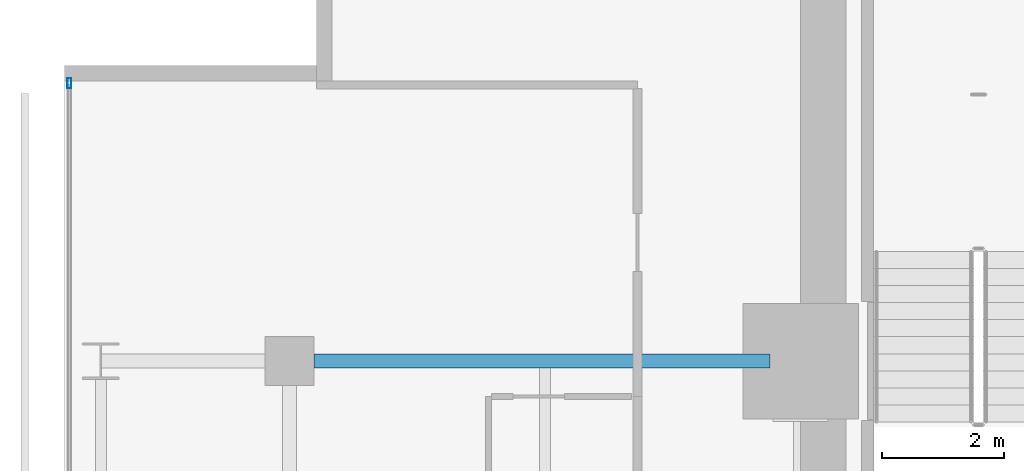
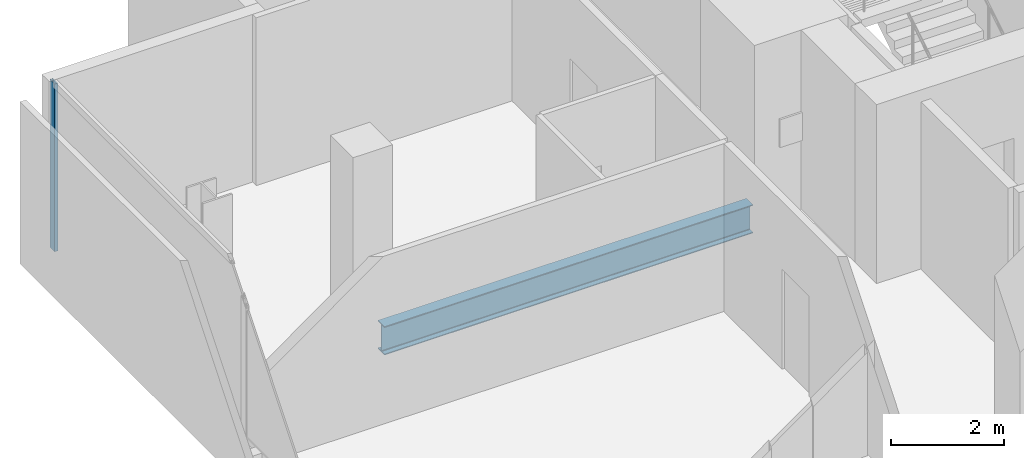
# One storey, part 20 of 33: 1 beam, 1 member, 1 element without a shape of its own.
"""IFC4 building model written with IfcOpenShell, lengths in metres."""

from ifc_helpers import new_model, si_unit, direction, frame, origin, origin_2d, place, context, subcontext, project, spatial, hollow_rectangle, i_section, extrude, material, layer, layer_set, material_profile, profile_set, type_object, element, aggregate, save


model = new_model("IFC4")

# Units and contexts
model_context = context("Model", 3, precision=1e-05, world=origin(), true_north=direction((0.0, 1.0)))
body_context = subcontext(model_context, "Body", "Model", "MODEL_VIEW")
ifc_project = project(units=[si_unit("LENGTHUNIT", "METRE"), si_unit("AREAUNIT", "SQUARE_METRE"), si_unit("VOLUMEUNIT", "CUBIC_METRE"), si_unit("PLANEANGLEUNIT", "RADIAN"), si_unit("MASSUNIT", "GRAM", prefix="KILO")], contexts=[model_context])

# Site, building, storey
site_placement = place(None, origin())
site = spatial("IfcSite", under=ifc_project, at=site_placement, CompositionType="ELEMENT")
building_placement = place(site_placement, origin())
building = spatial("IfcBuilding", under=site, at=building_placement, Name="Maruvema Waterfront Hotel and Observation Tower", CompositionType="ELEMENT")
storey_placement = place(building_placement, frame((0.0, 0.0, 150.5)))
storey = spatial("IfcBuildingStorey", under=building, at=storey_placement, Name="L36", CompositionType="ELEMENT", Elevation=150.5)

# Curtain wall, member
ifc_material_1 = material(Name="Anodised bronze aluminium and solar-control low-E IGU", Category="aluminium")
ifc_layer = layer(ifc_material_1, 0.159912109375, Name="Zone 2 Amber Inner Thermal Curtain Wall System CW-03")
ifc_layer_set = layer_set([ifc_layer], Name="Anodised bronze aluminium and solar-control low-E IGU")
curtain_wall_type = type_object("IfcCurtainWallType", Name="Zone 2 Amber Inner Thermal Curtain Wall System CW-03", PredefinedType="USERDEFINED", material=ifc_layer_set)
curtain_wall_placement = place(storey_placement, origin())
curtain_wall = element("IfcCurtainWall", 1, at=curtain_wall_placement, inside=storey, type_object=curtain_wall_type, Name="L36 Curtain Wall CW-L36-W", ObjectType="UNITISED CURTAIN WALL", PredefinedType="USERDEFINED")
ifc_material_2 = material(Name="Anodised architectural bronze aluminium", Category="aluminium")
ifc_material_profile_1 = material_profile(ifc_material_2, hollow_rectangle(XDim=0.06494140625, YDim=0.1650390625, WallThickness=0.00390625, at=origin_2d()), Name="ALU-M65x165")
ifc_profile_set_1 = profile_set([ifc_material_profile_1], Name="Anodised architectural bronze aluminium")
member_type = type_object("IfcMemberType", Name="Curtain Wall Primary Mullion ALU-M65x165", PredefinedType="MULLION", material=ifc_profile_set_1)
member_placement = place(storey_placement, frame((13.179931640625, 49.570068359375, 0.0), z_axis=(0.0, 0.0, 1.0), x_axis=(1.0, 0.0, 0.0)))
member = element("IfcMember", 2, at=member_placement, type_object=member_type, Name="CW-03 mullion 1", PredefinedType="MULLION", context=body_context, shape_type="SweptSolid", body=[
    extrude(hollow_rectangle(XDim=0.06494140625, YDim=0.1650390625, WallThickness=0.00390625, at=origin_2d()), origin(), (0.0, 0.0, 1.0), 3.610107421875),
])
aggregate(curtain_wall, [member])

# Beam
ifc_material_3 = material(Name="Steel ASTM A572 Grade 50", Category="steel")
ifc_material_profile_2 = material_profile(ifc_material_3, i_section(OverallWidth=0.22900390625, OverallDepth=0.612060546875, WebThickness=0.011962890625, FlangeThickness=0.01953125, FilletRadius=0.01806640625, at=origin_2d()), Name="W610x125.0")
ifc_profile_set_2 = profile_set([ifc_material_profile_2], Name="Steel ASTM A572 Grade 50")
beam_type = type_object("IfcBeamType", Name="Primary Floor Girder W610x125.0", PredefinedType="BEAM", material=ifc_profile_set_2)
beam_placement = place(storey_placement, frame((17.199951171875, 45.0, -0.5458984375), z_axis=(1.0, 0.0, 0.0), x_axis=(0.0, 1.0, 0.0)))
element("IfcBeam", 3, at=beam_placement, inside=storey, type_object=beam_type, Name="L36 Floor Girder EW-31", PredefinedType="BEAM", context=body_context, shape_type="SweptSolid", body=[
    extrude(i_section(OverallWidth=0.22900390625, OverallDepth=0.612060546875, WebThickness=0.011962890625, FlangeThickness=0.01953125, FilletRadius=0.01806640625, at=origin_2d()), origin(), (0.0, 0.0, 1.0), 7.5),
])

save(model, "model.ifc")
